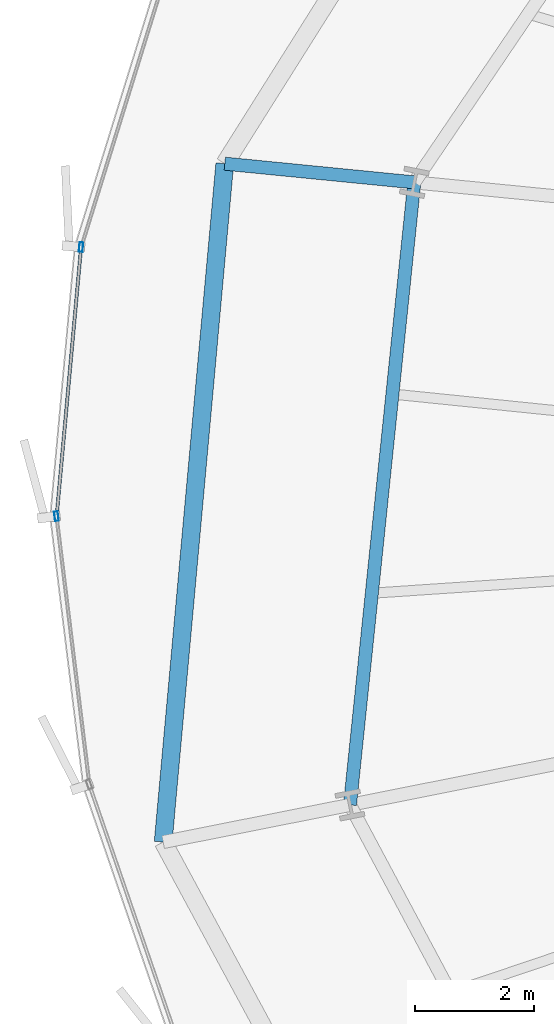
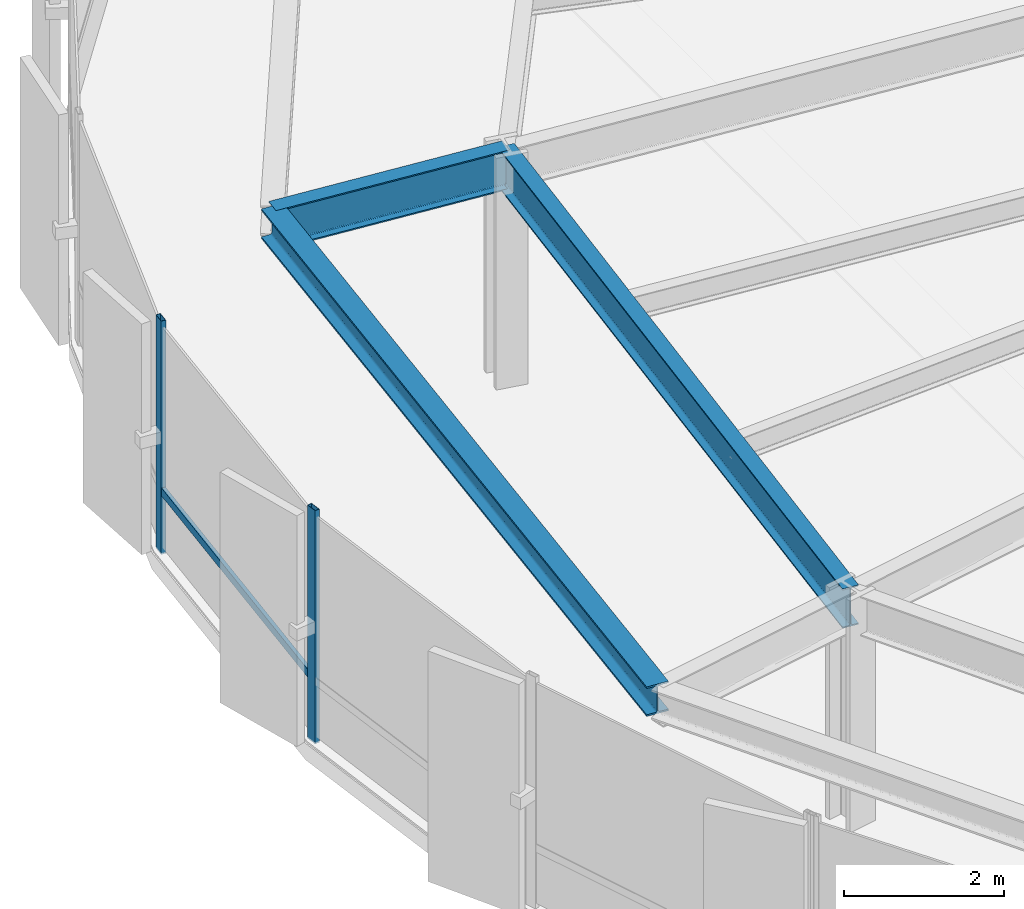
# One storey, part 8 of 39: 3 beams, 3 members, 1 element without a shape of its own.
"""IFC4 building model written with IfcOpenShell, lengths in metres."""

from ifc_helpers import new_model, si_unit, direction, frame, origin, origin_2d, place, context, subcontext, project, spatial, hollow_rectangle, i_section, extrude, source, transform, mapped, material, layer, layer_set, material_profile, profile_set, type_object, element, aggregate, save


model = new_model("IFC4")

# Units and contexts
model_context = context("Model", 3, precision=1e-05, world=origin(), true_north=direction((0.0, 1.0)))
body_context = subcontext(model_context, "Body", "Model", "MODEL_VIEW")
ifc_project = project(units=[si_unit("LENGTHUNIT", "METRE"), si_unit("AREAUNIT", "SQUARE_METRE"), si_unit("VOLUMEUNIT", "CUBIC_METRE"), si_unit("PLANEANGLEUNIT", "RADIAN"), si_unit("MASSUNIT", "GRAM", prefix="KILO"), si_unit("THERMODYNAMICTEMPERATUREUNIT", "KELVIN")], contexts=[model_context])

# Site, building, storey
site_placement = place(None, origin())
site = spatial("IfcSite", under=ifc_project, at=site_placement, CompositionType="ELEMENT")
building_placement = place(site_placement, origin())
building = spatial("IfcBuilding", under=site, at=building_placement, Name="Kethvar Cultural Tower", CompositionType="ELEMENT")
storey_placement = place(building_placement, frame((0.0, 0.0, 33.39990234375)))
storey = spatial("IfcBuildingStorey", under=building, at=storey_placement, Name="L07", CompositionType="ELEMENT", Elevation=33.39990234375)

# Beams
ifc_material_1 = material(Name="Steel S355J2", Category="steel")
ifc_material_profile_1 = material_profile(ifc_material_1, i_section(OverallWidth=0.219970703125, OverallDepth=0.60009765625, WebThickness=0.011962890625, FlangeThickness=0.01904296875, FilletRadius=0.02392578125, at=origin_2d()), Name="Steel S355J2 — IPE600")
ifc_profile_set_1 = profile_set([ifc_material_profile_1], Name="Steel S355J2 — IPE600")
beam_type_1 = type_object("IfcBeamType", Name="BM-IPE600", PredefinedType="BEAM", material=ifc_profile_set_1)
shared_shape_1 = source(origin(), body_context, "Body", "SweptSolid", [
    extrude(i_section(OverallWidth=0.219970703125, OverallDepth=0.60009765625, WebThickness=0.011962890625, FlangeThickness=0.01904296875, FilletRadius=0.02392578125, at=origin_2d()), origin(), (0.0, 0.0, 1.0), 3.199951171875),
])
beam_1_placement = place(storey_placement, frame((21.047119140625, 32.922607421875, 3.248046875), z_axis=(-0.995167757846, 0.098189275096, 0.0), x_axis=(-0.098189275096, -0.995167757846, 0.0)))
element("IfcBeam", 1, at=beam_1_placement, inside=storey, type_object=beam_type_1, Name="L07 Perimeter Cantilever Beam RC-08", PredefinedType="BEAM", context=body_context, shape_type="MappedRepresentation", body=[
    mapped(shared_shape_1, transform((0.0, 0.0, 0.0), scale=1.0)),
])
shared_shape_2 = source(origin(), body_context, "Body", "SweptSolid", [
    extrude(i_section(OverallWidth=0.219970703125, OverallDepth=0.60009765625, WebThickness=0.011962890625, FlangeThickness=0.01904296875, FilletRadius=0.02392578125, at=origin_2d()), origin(), (0.0, 0.0, 1.0), 10.515869140625),
])
beam_2_placement = place(storey_placement, frame((21.047119140625, 32.922607421875, 3.248046875), z_axis=(-0.102824694973, -0.994699493367, 0.0), x_axis=(0.994699493367, -0.102824694973, 0.0)))
element("IfcBeam", 2, at=beam_2_placement, inside=storey, type_object=beam_type_1, Name="L07 Column Ring Tie Beam CR-08", PredefinedType="BEAM", context=body_context, shape_type="MappedRepresentation", body=[
    mapped(shared_shape_2, transform((0.0, 0.0, 0.0), scale=1.0)),
])
ifc_material_profile_2 = material_profile(ifc_material_1, i_section(OverallWidth=0.300048828125, OverallDepth=0.449951171875, WebThickness=0.013916015625, FlangeThickness=0.02587890625, FilletRadius=0.027099609375, at=origin_2d()), Name="Steel S355J2 — HEB450")
ifc_profile_set_2 = profile_set([ifc_material_profile_2], Name="Steel S355J2 — HEB450")
beam_type_2 = type_object("IfcBeamType", Name="BM-SP450", PredefinedType="SPANDREL", material=ifc_profile_set_2)
shared_shape_3 = source(origin(), body_context, "Body", "SweptSolid", [
    extrude(i_section(OverallWidth=0.300048828125, OverallDepth=0.449951171875, WebThickness=0.013916015625, FlangeThickness=0.02587890625, FilletRadius=0.027099609375, at=origin_2d()), origin(), (0.0, 0.0, 1.0), 11.445556640625),
])
beam_3_placement = place(storey_placement, frame((17.862548828125, 33.23681640625, 3.322998046875), z_axis=(-0.090441506594, -0.995901769195, 0.0), x_axis=(0.995901769195, -0.090441506594, 0.0)))
element("IfcBeam", 3, at=beam_3_placement, inside=storey, type_object=beam_type_2, Name="L07 Perimeter Spandrel Beam SP-08", PredefinedType="SPANDREL", context=body_context, shape_type="MappedRepresentation", body=[
    mapped(shared_shape_3, transform((0.0, 0.0, 0.0), scale=1.0)),
])

# Curtain wall, members
ifc_material_2 = material(Name="Aluminium 6063-T6", Category="aluminium")
ifc_layer = layer(ifc_material_2, 0.179931640625, Name="Aluminium 6063-T6", Category="aluminium")
ifc_layer_set = layer_set([ifc_layer], Name="Aluminium 6063-T6 (180 mm)")
curtain_wall_type = type_object("IfcCurtainWallType", Name="CW-SYS-02-Z1", PredefinedType="NOTDEFINED", material=ifc_layer_set)
curtain_wall_placement = place(storey_placement, origin())
curtain_wall = element("IfcCurtainWall", 4, at=curtain_wall_placement, inside=storey, type_object=curtain_wall_type, Name="L07 Curtain Wall Run 04", PredefinedType="NOTDEFINED")
ifc_material_profile_3 = material_profile(ifc_material_2, hollow_rectangle(XDim=0.06494140625, YDim=0.159912109375, WallThickness=0.0048828125, at=origin_2d()), Name="Aluminium 6063-T6 — RHS160x65x5")
ifc_profile_set_3 = profile_set([ifc_material_profile_3], Name="Aluminium 6063-T6 — RHS160x65x5")
member_type_1 = type_object("IfcMemberType", Name="CW-SYS-02-Z1-MUL", PredefinedType="MULLION", material=ifc_profile_set_3)
shared_shape_4 = source(origin(), body_context, "Body", "SweptSolid", [
    extrude(hollow_rectangle(XDim=0.06494140625, YDim=0.159912109375, WallThickness=0.0048828125, at=origin_2d()), origin(), (0.0, 0.0, 1.0), 3.550048828125),
])
member_1_placement = place(storey_placement, frame((15.4482421875, 31.834716796875, 0.0), z_axis=(0.0, 0.0, 1.0), x_axis=(0.995897043604, -0.090493527621, 0.0)))
member_1 = element("IfcMember", 5, at=member_1_placement, type_object=member_type_1, Name="CW-L07-R04 Mullion 4", PredefinedType="MULLION", context=body_context, shape_type="MappedRepresentation", body=[
    mapped(shared_shape_4, transform((0.0, 0.0, 0.0), scale=1.0)),
])
member_2_placement = place(storey_placement, frame((15.03466796875, 27.313720703125, 0.0), z_axis=(0.0, 0.0, 1.0), x_axis=(0.992563158137, 0.121730756631, 0.0)))
member_2 = element("IfcMember", 6, at=member_2_placement, type_object=member_type_1, Name="CW-L07-R04 Mullion 5", PredefinedType="MULLION", context=body_context, shape_type="MappedRepresentation", body=[
    mapped(shared_shape_4, transform((0.0, 0.0, 0.0), scale=1.0)),
])
ifc_material_profile_4 = material_profile(ifc_material_2, hollow_rectangle(XDim=0.054931640625, YDim=0.1201171875, WallThickness=0.00390625, at=origin_2d()), Name="Aluminium 6063-T6 — RHS120x55x4")
ifc_profile_set_4 = profile_set([ifc_material_profile_4], Name="Aluminium 6063-T6 — RHS120x55x4")
member_type_2 = type_object("IfcMemberType", Name="CW-SYS-02-Z1-TRN", PredefinedType="USERDEFINED", material=ifc_profile_set_4)
shared_shape_5 = source(origin(), body_context, "Body", "SweptSolid", [
    extrude(hollow_rectangle(XDim=0.054931640625, YDim=0.1201171875, WallThickness=0.00390625, at=origin_2d()), origin(), (0.0, 0.0, 1.0), 4.4716796875),
])
member_3_placement = place(storey_placement, frame((15.444091796875, 31.7880859375, 0.9501953125), z_axis=(-0.09052097813, -0.995894548895, 0.0), x_axis=(0.995894548895, -0.09052097813, 0.0)))
member_3 = element("IfcMember", 7, at=member_3_placement, type_object=member_type_2, Name="CW-L07-R04 Transom 4", ObjectType="TRANSOM", PredefinedType="USERDEFINED", context=body_context, shape_type="MappedRepresentation", body=[
    mapped(shared_shape_5, transform((0.0, 0.0, 0.0), scale=1.0)),
])
aggregate(curtain_wall, [member_1, member_2, member_3])

save(model, "model.ifc")
